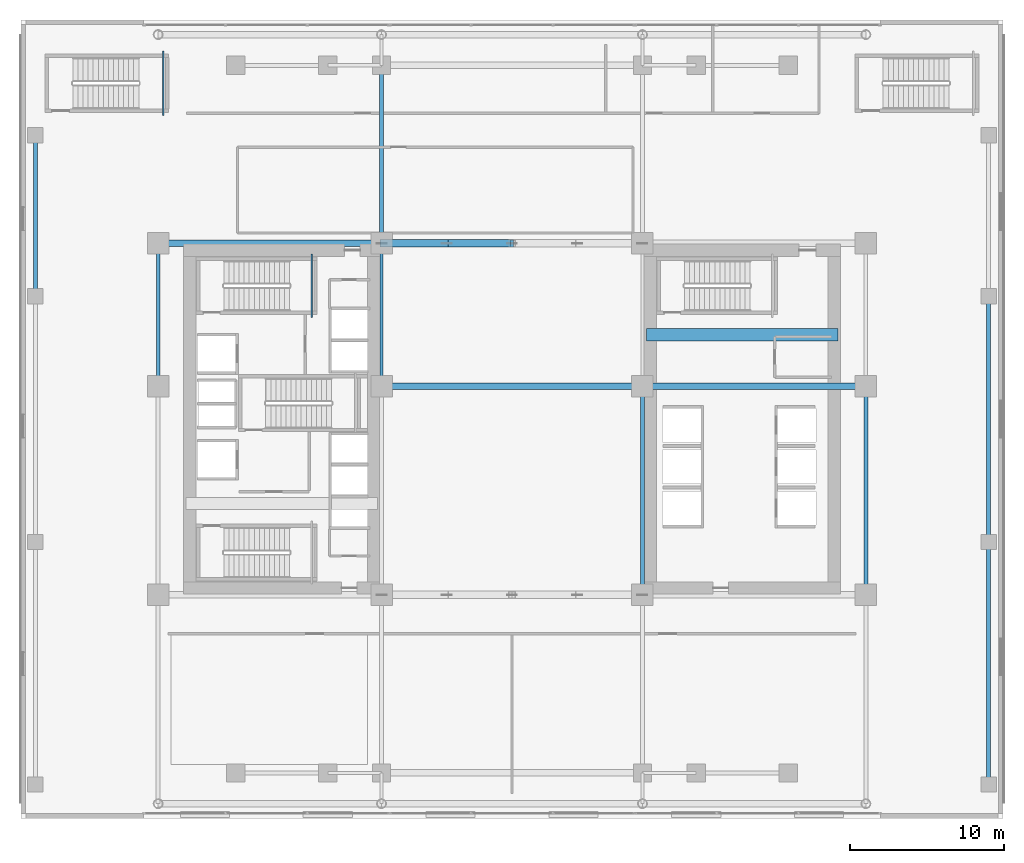
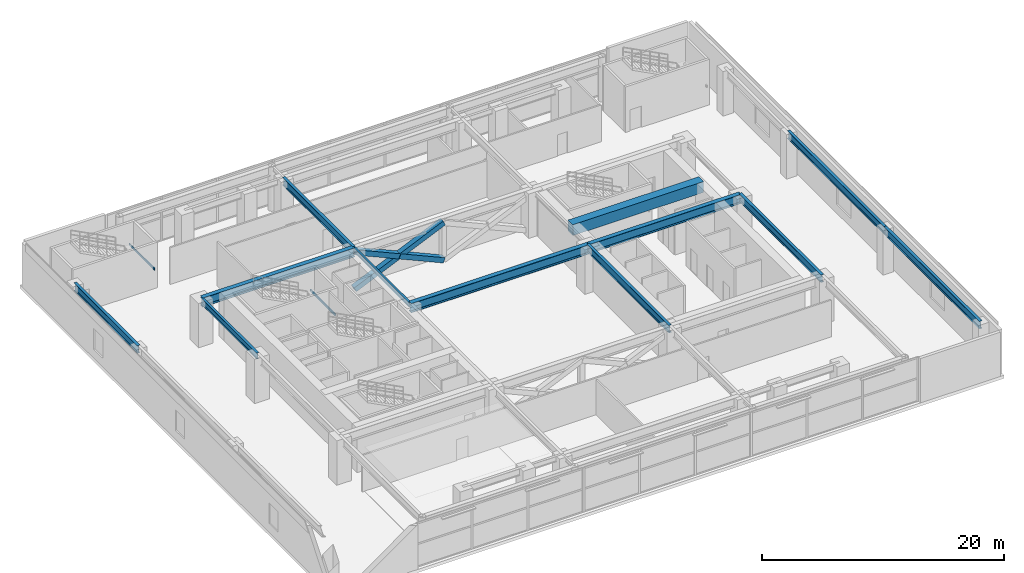
# One storey, part 11 of 28: 14 beams, 3 members.
"""IFC4 building model written with IfcOpenShell, lengths in metres."""

import ifcopenshell
import ifcopenshell.guid

model = None  # the IFC model being written
_history = None  # IfcOwnerHistory: only IFC2X3 demands one
_inside = {}  # id of a spatial element -> (the spatial element, [elements in it])
_under = {}  # id of a project, library or spatial element -> (it, [spatial elements below it])
_declared = {}  # id of a project -> (the project, [libraries it declares])
_typed = {}  # id of a type object -> (the type object, [elements of that type])
_made_of = {}  # id of a material, layer set ... -> (it, [elements and type objects made of it])


def new_model(schema):
    """Start an empty IFC model of exactly this schema.

    Asked for "IFC4X3", IfcOpenShell would pick the latest addendum, in which some entities
    have other attributes; the version numbers below select the first issue.
    IFC2X3 requires an IfcOwnerHistory on every rooted entity: one is made here for all.
    """
    global model, _history
    if schema == "IFC4X3":
        model = ifcopenshell.file(schema_version=(4, 3, 0, 0))
    else:
        model = ifcopenshell.file(schema=schema)
    _inside.clear()
    _under.clear()
    _declared.clear()
    _typed.clear()
    _made_of.clear()
    _history = None
    if model.schema == "IFC2X3":
        org = make("IfcOrganization", Name="unknown")
        user = make(
            "IfcPersonAndOrganization",
            ThePerson=make("IfcPerson", FamilyName="unknown"),
            TheOrganization=org,
        )
        app = make(
            "IfcApplication",
            ApplicationDeveloper=org,
            Version="unknown",
            ApplicationFullName="unknown",
            ApplicationIdentifier="unknown",
        )
        _history = make(
            "IfcOwnerHistory",
            OwningUser=user,
            OwningApplication=app,
            ChangeAction="ADDED",
            CreationDate=0,
        )
    return model


def make(cls, **values):
    """One entity of the class cls with the attributes given. An attribute that is None is left unset."""
    return model.create_entity(
        cls, **{name: value for name, value in values.items() if value is not None}
    )


def rooted(cls, **values):
    """An entity with a GlobalId (a new one), such as an element, a storey or a relation."""
    return make(cls, GlobalId=ifcopenshell.guid.new(), OwnerHistory=_history, **values)


def si_unit(unit_type, name, prefix=None):
    """IfcSIUnit, for example si_unit("LENGTHUNIT", "METRE", prefix="MILLI")."""
    return make("IfcSIUnit", UnitType=unit_type, Prefix=prefix, Name=name)


def assignment(units):
    """IfcUnitAssignment: the units of a project."""
    return None if units is None else make("IfcUnitAssignment", Units=units)


def point(xyz):
    """IfcCartesianPoint."""
    return None if xyz is None else make("IfcCartesianPoint", Coordinates=xyz)


def direction(xyz):
    """IfcDirection."""
    return None if xyz is None else make("IfcDirection", DirectionRatios=xyz)


def frame(location, z_axis=None, x_axis=None):
    """IfcAxis2Placement3D, a coordinate frame: its origin and axes. An axis left out is left unset."""
    return make(
        "IfcAxis2Placement3D",
        Location=point(location),
        Axis=direction(z_axis),
        RefDirection=direction(x_axis),
    )


def frame_2d(location, x_axis=None):
    """IfcAxis2Placement2D, a coordinate frame in the plane: its origin and x axis."""
    return make(
        "IfcAxis2Placement2D", Location=point(location), RefDirection=direction(x_axis)
    )


def origin():
    """The frame at (0, 0, 0) with its axes left unset."""
    return frame((0.0, 0.0, 0.0))


def origin_2d():
    """The frame at (0, 0) in the plane with its x axis left unset."""
    return frame_2d((0.0, 0.0))


def place(relative_to, where):
    """IfcLocalPlacement: puts the frame where relative to a parent placement (None: the world)."""
    return make(
        "IfcLocalPlacement", PlacementRelTo=relative_to, RelativePlacement=where
    )


def context(
    kind, dimensions, precision=None, world=None, true_north=None, identifier=None
):
    """IfcGeometricRepresentationContext, for example the 3D "Model" context."""
    return make(
        "IfcGeometricRepresentationContext",
        ContextIdentifier=identifier,
        ContextType=kind,
        CoordinateSpaceDimension=dimensions,
        Precision=precision,
        WorldCoordinateSystem=world,
        TrueNorth=true_north,
    )


def subcontext(parent, identifier, kind, view, scale=None):
    """IfcGeometricRepresentationSubContext, for example "Body" below "Model"."""
    return make(
        "IfcGeometricRepresentationSubContext",
        ContextIdentifier=identifier,
        ContextType=kind,
        ParentContext=parent,
        TargetScale=scale,
        TargetView=view,
    )


def project(units=None, contexts=None):
    """IfcProject with its units and contexts."""
    return rooted(
        "IfcProject",
        Name="project",
        RepresentationContexts=contexts,
        UnitsInContext=assignment(units),
    )


def spatial(cls, under=None, at=None, **own):
    """A site, building, storey or space (cls), placed at a placement, below another one or the project."""
    s = rooted(cls, ObjectPlacement=at, **own)
    if under is not None:
        _under.setdefault(under.id(), (under, []))[1].append(s)
    return s


def profile(cls, at=None, kind="AREA", **sizes):
    """A parametric profile (cls). Its sizes go by their IFC names, for example OverallWidth=200.0."""
    return make(cls, ProfileType=kind, Position=at, **sizes)


def rectangle(**sizes):
    """IfcRectangleProfileDef."""
    return profile("IfcRectangleProfileDef", **sizes)


def hollow_rectangle(**sizes):
    """IfcRectangleHollowProfileDef."""
    return profile("IfcRectangleHollowProfileDef", **sizes)


def i_section(**sizes):
    """IfcIShapeProfileDef."""
    return profile("IfcIShapeProfileDef", **sizes)


def extrude(swept, where, along, depth):
    """IfcExtrudedAreaSolid: the profile swept, set in the frame where, extruded along a direction by depth."""
    return make(
        "IfcExtrudedAreaSolid",
        SweptArea=swept,
        Position=where,
        ExtrudedDirection=direction(along),
        Depth=depth,
    )


def shape(context_of_items, identifier, shape_type, items):
    """IfcShapeRepresentation: the items that make up one representation, for example the "Body"."""
    return make(
        "IfcShapeRepresentation",
        ContextOfItems=context_of_items,
        RepresentationIdentifier=identifier,
        RepresentationType=shape_type,
        Items=items,
    )


def source(mapping_origin, context_of_items, identifier, shape_type, items):
    """IfcRepresentationMap: a shape defined once, which mapped items show again and again."""
    return make(
        "IfcRepresentationMap",
        MappingOrigin=mapping_origin,
        MappedRepresentation=shape(context_of_items, identifier, shape_type, items),
    )


def transform(
    local_origin,
    x_axis=None,
    y_axis=None,
    z_axis=None,
    scale=None,
    scale2=None,
    scale3=None,
    uniform=True,
):
    """IfcCartesianTransformationOperator3D, or its non-uniform kind. x_axis, y_axis, z_axis: its Axis1, 2, 3."""
    if uniform:
        return make(
            "IfcCartesianTransformationOperator3D",
            Axis1=direction(x_axis),
            Axis2=direction(y_axis),
            LocalOrigin=point(local_origin),
            Scale=scale,
            Axis3=direction(z_axis),
        )
    return make(
        "IfcCartesianTransformationOperator3DnonUniform",
        Axis1=direction(x_axis),
        Axis2=direction(y_axis),
        LocalOrigin=point(local_origin),
        Scale=scale,
        Axis3=direction(z_axis),
        Scale2=scale2,
        Scale3=scale3,
    )


def mapped(mapping_source, mapping_target):
    """IfcMappedItem: shows the shape of a source again, moved by a transform."""
    return make(
        "IfcMappedItem", MappingSource=mapping_source, MappingTarget=mapping_target
    )


def material(Name=None, Category=None):
    """IfcMaterial."""
    return make("IfcMaterial", Name=Name, Category=Category)


def material_profile(
    of_material, cross_section, Name=None, Category=None, Priority=None
):
    """IfcMaterialProfile: a cross section and its material."""
    return make(
        "IfcMaterialProfile",
        Name=Name,
        Material=of_material,
        Profile=cross_section,
        Priority=Priority,
        Category=Category,
    )


def profile_set(profiles, Name=None, composite=None):
    """IfcMaterialProfileSet."""
    return make(
        "IfcMaterialProfileSet",
        Name=Name,
        MaterialProfiles=profiles,
        CompositeProfile=composite,
    )


def made_of(thing, what):
    """Note that an element or type object is made of a material, layer set ...; save() writes the relation."""
    if what is not None:
        _made_of.setdefault(what.id(), (what, []))[1].append(thing)
    return thing


def type_object(cls, material=None, **own):
    """A type object (cls), such as IfcWallType, which elements share."""
    return made_of(rooted(cls, **own), material)


def element(
    cls,
    number,
    at=None,
    inside=None,
    cuts=None,
    type_object=None,
    material=None,
    context=None,
    identifier="Body",
    shape_type=None,
    held_by="IfcProductDefinitionShape",
    body=None,
    shapes=None,
    **own,
):
    """One element of the class cls, such as IfcWall. Its Tag is "e" and its number.

    at: its placement. inside: the storey or other place that contains it. cuts: it is an
    opening in that element (IfcRelVoidsElement). A single representation is given by context,
    identifier, shape_type and body (its items); several are given by shapes. held_by: the class
    of the entity that holds the representations. save() writes the other relations.
    """
    e = rooted(cls, Tag="e%d" % number, ObjectPlacement=at, **own)
    if body is not None:
        shapes = [shape(context, identifier, shape_type, body)]
    if shapes is not None:
        e.Representation = make(held_by, Representations=shapes)
    if inside is not None:
        _inside.setdefault(inside.id(), (inside, []))[1].append(e)
    if cuts is not None:
        rooted(
            "IfcRelVoidsElement", RelatingBuildingElement=cuts, RelatedOpeningElement=e
        )
    if type_object is not None:
        _typed.setdefault(type_object.id(), (type_object, []))[1].append(e)
    return made_of(e, material)


def aggregate(whole, parts):
    """IfcRelAggregates: a whole, such as a stair, and the parts it consists of."""
    return rooted("IfcRelAggregates", RelatingObject=whole, RelatedObjects=parts)


def save(model, path):
    """Write the relations noted so far, then the file.

    IfcRelAggregates (storeys below a building ...), IfcRelContainedInSpatialStructure (elements
    in a storey), IfcRelDefinesByType, IfcRelAssociatesMaterial and IfcRelDeclares: one each for
    every whole, place, type object, material and project.
    """
    for whole, parts in _under.values():
        aggregate(whole, parts)
    for where, things in _inside.values():
        rooted(
            "IfcRelContainedInSpatialStructure",
            RelatedElements=things,
            RelatingStructure=where,
        )
    for kind, things in _typed.values():
        rooted("IfcRelDefinesByType", RelatedObjects=things, RelatingType=kind)
    for what, things in _made_of.values():
        rooted("IfcRelAssociatesMaterial", RelatedObjects=things, RelatingMaterial=what)
    for by, libraries in _declared.values():
        rooted("IfcRelDeclares", RelatingContext=by, RelatedDefinitions=libraries)
    model.write(path)


model = new_model("IFC4")

# Units and contexts
model_context = context("Model", 3, precision=1e-05, world=origin(), true_north=direction((0.0, 1.0)))
body_context = subcontext(model_context, "Body", "Model", "MODEL_VIEW")
ifc_project = project(units=[si_unit("LENGTHUNIT", "METRE"), si_unit("AREAUNIT", "SQUARE_METRE"), si_unit("VOLUMEUNIT", "CUBIC_METRE"), si_unit("PLANEANGLEUNIT", "RADIAN"), si_unit("MASSUNIT", "GRAM", prefix="KILO")], contexts=[model_context])

# Site, building, storey
site_placement = place(None, origin())
site = spatial("IfcSite", under=ifc_project, at=site_placement, CompositionType="ELEMENT")
building_placement = place(site_placement, origin())
building = spatial("IfcBuilding", under=site, at=building_placement, Name="Ocotamira Hotel", CompositionType="ELEMENT")
storey_placement = place(building_placement, frame((0.0, 0.0, 24.0)))
storey = spatial("IfcBuildingStorey", under=building, at=storey_placement, Name="L05", CompositionType="ELEMENT", Elevation=24.0)

# Beams
ifc_material_1 = material(Name="Concrete C60/75", Category="concrete")
ifc_material_profile_1 = material_profile(ifc_material_1, rectangle(XDim=0.800048828125, YDim=1.10009765625, at=origin_2d()), Name="RC800X1100")
ifc_profile_set_1 = profile_set([ifc_material_profile_1], Name="Concrete C60/75")
beam_type_1 = type_object("IfcBeamType", Name="BM-LINK-RC800", PredefinedType="LINTEL", material=ifc_profile_set_1)
shared_shape_1 = source(origin(), body_context, "Body", "SweptSolid", [
    extrude(rectangle(XDim=0.800048828125, YDim=1.10009765625, at=origin_2d()), origin(), (0.0, 0.0, 1.0), 12.5),
])
beam_1_placement = place(storey_placement, frame((40.75, 31.5, 3.929931640625), z_axis=(1.0, 0.0, 0.0), x_axis=(0.0, 1.0, 0.0)))
element("IfcBeam", 1, at=beam_1_placement, inside=storey, type_object=beam_type_1, Name="L05 East Core Coupling Beam", PredefinedType="LINTEL", context=body_context, shape_type="MappedRepresentation", body=[
    mapped(shared_shape_1, transform((0.0, 0.0, 0.0), scale=1.0)),
])
ifc_material_2 = material(Name="Steel ASTM A500 Grade C", Category="steel")
ifc_material_profile_2 = material_profile(ifc_material_2, hollow_rectangle(XDim=0.10009765625, YDim=0.199951171875, WallThickness=0.008056640625, at=origin_2d()), Name="HSS200X100X8")
ifc_profile_set_2 = profile_set([ifc_material_profile_2], Name="Steel ASTM A500 Grade C")
beam_type_2 = type_object("IfcBeamType", Name="BM-STLDG-HSS200", PredefinedType="BEAM", material=ifc_profile_set_2)
shared_shape_2 = source(origin(), body_context, "Body", "SweptSolid", [
    extrude(hollow_rectangle(XDim=0.10009765625, YDim=0.199951171875, WallThickness=0.008056640625, at=origin_2d()), origin(), (0.0, 0.0, 1.0), 4.1201171875),
])
beam_2_placement = place(storey_placement, frame((18.949951171875, 32.6298828125, 2.10009765625), z_axis=(0.0, 1.0, 0.0), x_axis=(-1.0, 0.0, 0.0)))
element("IfcBeam", 2, at=beam_2_placement, inside=storey, type_object=beam_type_2, Name="L05 Stair ST-2 Landing Bearer 1", PredefinedType="BEAM", context=body_context, shape_type="MappedRepresentation", body=[
    mapped(shared_shape_2, transform((0.0, 0.0, 0.0), scale=1.0)),
])
shared_shape_3 = source(origin(), body_context, "Body", "SweptSolid", [
    extrude(hollow_rectangle(XDim=0.10009765625, YDim=0.199951171875, WallThickness=0.008056640625, at=origin_2d()), origin(), (0.0, 0.0, 1.0), 4.199951171875),
])
beam_3_placement = place(storey_placement, frame((9.280029296875, 45.780029296875, 2.10009765625), z_axis=(0.0, 1.0, 0.0), x_axis=(-1.0, 0.0, 0.0)))
element("IfcBeam", 3, at=beam_3_placement, inside=storey, type_object=beam_type_2, Name="L05 Stair ST-5 Landing Bearer 1", PredefinedType="BEAM", context=body_context, shape_type="MappedRepresentation", body=[
    mapped(shared_shape_3, transform((0.0, 0.0, 0.0), scale=1.0)),
])
ifc_material_3 = material(Name="Steel ASTM A992 Grade 50", Category="steel")
ifc_material_profile_3 = material_profile(ifc_material_3, i_section(OverallWidth=0.41796875, OverallDepth=0.927001953125, WebThickness=0.019287109375, FlangeThickness=0.031982421875, FilletRadius=0.02392578125, at=origin_2d()), Name="W36X231")
ifc_profile_set_3 = profile_set([ifc_material_profile_3], Name="Steel ASTM A992 Grade 50")
beam_type_3 = type_object("IfcBeamType", Name="BM-GIRD-W36X231", PredefinedType="BEAM", material=ifc_profile_set_3)
shared_shape_4 = source(origin(), body_context, "Body", "SweptSolid", [
    extrude(i_section(OverallWidth=0.41796875, OverallDepth=0.927001953125, WebThickness=0.019287109375, FlangeThickness=0.031982421875, FilletRadius=0.02392578125, at=origin_2d()), origin(), (0.0, 0.0, 1.0), 14.550048828125),
])
for number, where, z_axis, x_axis, name in (
    (4, (40.5, 28.14990234375, 4.0166015625), (1.0, 0.0, 0.0), (0.0, 1.0, 0.0), "L05 Girder Y28.15 X40.5-55.05"),
    (5, (8.949951171875, 37.449951171875, 4.0166015625), (1.0, 0.0, 0.0), (0.0, 1.0, 0.0), "L05 Girder Y37.45 X8.95-23.5"),
):
    element("IfcBeam", number, at=place(storey_placement, frame(where, z_axis=z_axis, x_axis=x_axis)), inside=storey, type_object=beam_type_3, Name=name, PredefinedType="BEAM", context=body_context, shape_type="MappedRepresentation", body=[
        mapped(shared_shape_4, transform((0.0, 0.0, 0.0), scale=1.0)),
    ])
ifc_material_profile_4 = material_profile(ifc_material_3, i_section(OverallWidth=0.26611328125, OverallDepth=0.779052734375, WebThickness=0.0166015625, FlangeThickness=0.030029296875, FilletRadius=0.01806640625, at=origin_2d()), Name="W30X148")
ifc_profile_set_4 = profile_set([ifc_material_profile_4], Name="Steel ASTM A992 Grade 50")
beam_type_4 = type_object("IfcBeamType", Name="BM-GIRD-W30X148", PredefinedType="BEAM", material=ifc_profile_set_4)
shared_shape_5 = source(origin(), body_context, "Body", "SweptSolid", [
    extrude(i_section(OverallWidth=0.26611328125, OverallDepth=0.779052734375, WebThickness=0.0166015625, FlangeThickness=0.030029296875, FilletRadius=0.01806640625, at=origin_2d()), origin(), (0.0, 0.0, 1.0), 15.800048828125),
])
beam_4_placement = place(storey_placement, frame((63.050048828125, 2.199951171875, 4.090576171875), z_axis=(0.0, 1.0, 0.0), x_axis=(-1.0, 0.0, 0.0)))
element("IfcBeam", 6, at=beam_4_placement, inside=storey, type_object=beam_type_4, Name="L05 Beam X63.05 Y2.2-18", PredefinedType="BEAM", context=body_context, shape_type="MappedRepresentation", body=[
    mapped(shared_shape_5, transform((0.0, 0.0, 0.0), scale=1.0)),
])
shared_shape_6 = source(origin(), body_context, "Body", "SweptSolid", [
    extrude(i_section(OverallWidth=0.26611328125, OverallDepth=0.779052734375, WebThickness=0.0166015625, FlangeThickness=0.030029296875, FilletRadius=0.01806640625, at=origin_2d()), origin(), (0.0, 0.0, 1.0), 16.0),
])
beam_5_placement = place(storey_placement, frame((63.050048828125, 18.0, 4.090576171875), z_axis=(0.0, 1.0, 0.0), x_axis=(-1.0, 0.0, 0.0)))
element("IfcBeam", 7, at=beam_5_placement, inside=storey, type_object=beam_type_4, Name="L05 Beam X63.05 Y18-34", PredefinedType="BEAM", context=body_context, shape_type="MappedRepresentation", body=[
    mapped(shared_shape_6, transform((0.0, 0.0, 0.0), scale=1.0)),
])
shared_shape_7 = source(origin(), body_context, "Body", "SweptSolid", [
    extrude(i_section(OverallWidth=0.26611328125, OverallDepth=0.779052734375, WebThickness=0.0166015625, FlangeThickness=0.030029296875, FilletRadius=0.01806640625, at=origin_2d()), origin(), (0.0, 0.0, 1.0), 10.5),
])
beam_6_placement = place(storey_placement, frame((0.949951171875, 34.0, 4.090576171875), z_axis=(0.0, 1.0, 0.0), x_axis=(-1.0, 0.0, 0.0)))
element("IfcBeam", 8, at=beam_6_placement, inside=storey, type_object=beam_type_4, Name="L05 Beam X0.95 Y34-44.5", PredefinedType="BEAM", context=body_context, shape_type="MappedRepresentation", body=[
    mapped(shared_shape_7, transform((0.0, 0.0, 0.0), scale=1.0)),
])
shared_shape_8 = source(origin(), body_context, "Body", "SweptSolid", [
    extrude(i_section(OverallWidth=0.26611328125, OverallDepth=0.779052734375, WebThickness=0.0166015625, FlangeThickness=0.030029296875, FilletRadius=0.01806640625, at=origin_2d()), origin(), (0.0, 0.0, 1.0), 13.599853515625),
])
for number, where, z_axis, x_axis, name in (
    (9, (40.5, 14.550048828125, 4.090576171875), (0.0, 1.0, 0.0), (-1.0, 0.0, 0.0), "L05 Beam X40.5 Y14.55-28.15"),
    (10, (55.050048828125, 14.550048828125, 4.090576171875), (0.0, 1.0, 0.0), (-1.0, 0.0, 0.0), "L05 Beam X55.05 Y14.55-28.15"),
):
    element("IfcBeam", number, at=place(storey_placement, frame(where, z_axis=z_axis, x_axis=x_axis)), inside=storey, type_object=beam_type_4, Name=name, PredefinedType="BEAM", context=body_context, shape_type="MappedRepresentation", body=[
        mapped(shared_shape_8, transform((0.0, 0.0, 0.0), scale=1.0)),
    ])
ifc_material_profile_5 = material_profile(ifc_material_3, i_section(OverallWidth=0.22998046875, OverallDepth=0.616943359375, WebThickness=0.01318359375, FlangeThickness=0.022216796875, FilletRadius=0.012939453125, at=origin_2d()), Name="W24X94")
ifc_profile_set_5 = profile_set([ifc_material_profile_5], Name="Steel ASTM A992 Grade 50")
beam_type_5 = type_object("IfcBeamType", Name="BM-PRIM-W24X94", PredefinedType="BEAM", material=ifc_profile_set_5)
shared_shape_9 = source(origin(), body_context, "Body", "SweptSolid", [
    extrude(i_section(OverallWidth=0.22998046875, OverallDepth=0.616943359375, WebThickness=0.01318359375, FlangeThickness=0.022216796875, FilletRadius=0.012939453125, at=origin_2d()), origin(), (0.0, 0.0, 1.0), 9.300048828125),
])
beam_7_placement = place(storey_placement, frame((8.949951171875, 28.14990234375, 4.17138671875), z_axis=(0.0, 1.0, 0.0), x_axis=(-1.0, 0.0, 0.0)))
element("IfcBeam", 11, at=beam_7_placement, inside=storey, type_object=beam_type_5, Name="L05 Beam X8.95 Y28.15-37.45", PredefinedType="BEAM", context=body_context, shape_type="MappedRepresentation", body=[
    mapped(shared_shape_9, transform((0.0, 0.0, 0.0), scale=1.0)),
])
shared_shape_10 = source(origin(), body_context, "Body", "SweptSolid", [
    extrude(i_section(OverallWidth=0.26611328125, OverallDepth=0.779052734375, WebThickness=0.0166015625, FlangeThickness=0.030029296875, FilletRadius=0.01806640625, at=origin_2d()), origin(), (0.0, 0.0, 1.0), 11.60009765625),
])
beam_8_placement = place(storey_placement, frame((23.5, 37.449951171875, 4.090576171875), z_axis=(0.0, 1.0, 0.0), x_axis=(-1.0, 0.0, 0.0)))
element("IfcBeam", 12, at=beam_8_placement, inside=storey, type_object=beam_type_4, Name="L05 Beam X23.5 Y37.45-49.05", PredefinedType="BEAM", context=body_context, shape_type="MappedRepresentation", body=[
    mapped(shared_shape_10, transform((0.0, 0.0, 0.0), scale=1.0)),
])
ifc_material_profile_6 = material_profile(ifc_material_3, i_section(OverallWidth=0.18994140625, OverallDepth=0.45703125, WebThickness=0.009033203125, FlangeThickness=0.014404296875, FilletRadius=0.010009765625, at=origin_2d()), Name="W18X50")
ifc_profile_set_6 = profile_set([ifc_material_profile_6], Name="Steel ASTM A992 Grade 50")
beam_type_6 = type_object("IfcBeamType", Name="BM-SEC-W18X50", PredefinedType="JOIST", material=ifc_profile_set_6)
shared_shape_11 = source(origin(), body_context, "Body", "SweptSolid", [
    extrude(i_section(OverallWidth=0.18994140625, OverallDepth=0.45703125, WebThickness=0.009033203125, FlangeThickness=0.014404296875, FilletRadius=0.010009765625, at=origin_2d()), origin(), (0.0, 0.0, 1.0), 9.300048828125),
])
beam_9_placement = place(storey_placement, frame((23.5, 28.14990234375, 4.25146484375), z_axis=(0.0, 1.0, 0.0), x_axis=(-1.0, 0.0, 0.0)))
element("IfcBeam", 13, at=beam_9_placement, inside=storey, type_object=beam_type_6, Name="L05 Beam X23.5 Y28.15-37.45", PredefinedType="JOIST", context=body_context, shape_type="MappedRepresentation", body=[
    mapped(shared_shape_11, transform((0.0, 0.0, 0.0), scale=1.0)),
])
ifc_material_4 = material(Name="Steel ASTM A913 Grade 65", Category="steel")
ifc_material_profile_7 = material_profile(ifc_material_4, i_section(OverallWidth=0.423095703125, OverallDepth=0.947998046875, WebThickness=0.02392578125, FlangeThickness=0.042724609375, FilletRadius=0.02392578125, at=origin_2d()), Name="W36X302")
ifc_profile_set_7 = profile_set([ifc_material_profile_7], Name="Steel ASTM A913 Grade 65")
beam_type_7 = type_object("IfcBeamType", Name="BM-TRUSS-W36X302", PredefinedType="BEAM", material=ifc_profile_set_7)
shared_shape_12 = source(origin(), body_context, "Body", "SweptSolid", [
    extrude(i_section(OverallWidth=0.423095703125, OverallDepth=0.947998046875, WebThickness=0.02392578125, FlangeThickness=0.042724609375, FilletRadius=0.02392578125, at=origin_2d()), origin(), (0.0, 0.0, 1.0), 17.0),
])
beam_10_placement = place(storey_placement, frame((23.5, 28.14990234375, 4.006103515625), z_axis=(1.0, 0.0, 0.0), x_axis=(0.0, 1.0, 0.0)))
element("IfcBeam", 14, at=beam_10_placement, inside=storey, type_object=beam_type_7, Name="L05 Girder Y28.15 X23.5-40.5", PredefinedType="BEAM", context=body_context, shape_type="MappedRepresentation", body=[
    mapped(shared_shape_12, transform((0.0, 0.0, 0.0), scale=1.0)),
])

# Members
ifc_material_profile_8 = material_profile(ifc_material_4, hollow_rectangle(XDim=0.5, YDim=0.5, WallThickness=0.02001953125, at=origin_2d()), Name="HSS500X500X20")
ifc_profile_set_8 = profile_set([ifc_material_profile_8], Name="Steel ASTM A913 Grade 65")
member_type = type_object("IfcMemberType", Name="MEM-OUT-HSS500", PredefinedType="BRACE", material=ifc_profile_set_8)
shared_shape_13 = source(origin(), body_context, "Body", "SweptSolid", [
    extrude(hollow_rectangle(XDim=0.5, YDim=0.5, WallThickness=0.02001953125, at=origin_2d()), origin(), (0.0, 0.0, 1.0), 9.302734375),
])
member_placement = place(storey_placement, frame((23.5, 37.449951171875, 0.25), z_axis=(0.913721700404, 0.0, 0.40634056432), x_axis=(0.0, 1.0, 0.0)))
element("IfcMember", 15, at=member_placement, inside=storey, type_object=member_type, Name="L05 Portal Transfer Truss Diagonal Y37.45-1", PredefinedType="BRACE", context=body_context, shape_type="MappedRepresentation", body=[
    mapped(shared_shape_13, transform((0.0, 0.0, 0.0), scale=1.0)),
])
shared_shape_14 = source(origin(), body_context, "Body", "SweptSolid", [
    extrude(hollow_rectangle(XDim=0.5, YDim=0.5, WallThickness=0.02001953125, at=origin_2d()), origin(), (0.0, 0.0, 1.0), 4.63134765625),
])
for number, where, z_axis, x_axis, name in (
    (16, (23.5, 37.449951171875, 4.030029296875), (0.913724573626, 0.0, -0.406334103358), (0.0, 1.0, 0.0), "L05 Portal Transfer Truss Diagonal Y37.45-3 Lower Half"),
    (17, (27.768310546875, 37.449951171875, 2.1318359375), (0.913724573626, 0.0, -0.406334103358), (0.0, 1.0, 0.0), "L05 Portal Transfer Truss Diagonal Y37.45-3 Upper Half"),
):
    element("IfcMember", number, at=place(storey_placement, frame(where, z_axis=z_axis, x_axis=x_axis)), inside=storey, type_object=member_type, Name=name, PredefinedType="BRACE", context=body_context, shape_type="MappedRepresentation", body=[
        mapped(shared_shape_14, transform((0.0, 0.0, 0.0), scale=1.0)),
    ])

save(model, "model.ifc")
